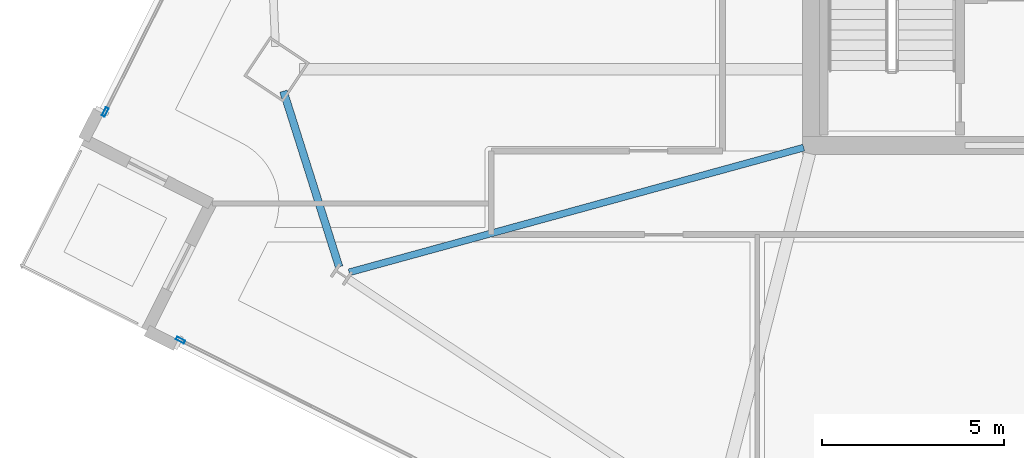
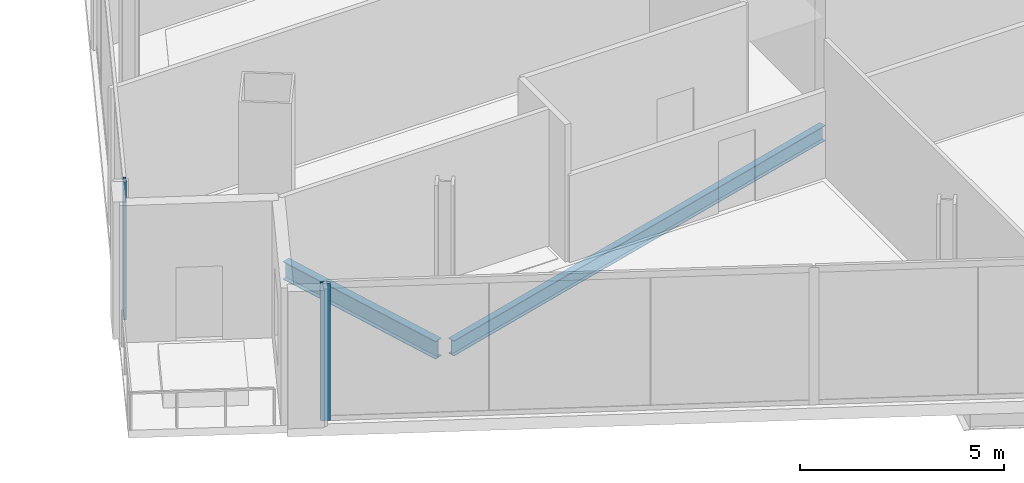
# One storey, part 5 of 27: 2 beams, 2 members, 2 elements without a shape of their own.
"""IFC4 building model written with IfcOpenShell, lengths in metres."""

from ifc_helpers import new_model, si_unit, direction, frame, origin, origin_2d, place, context, subcontext, project, spatial, hollow_rectangle, i_section, extrude, material, material_profile, profile_set, type_object, element, aggregate, save


model = new_model("IFC4")

# Units and contexts
model_context = context("Model", 3, precision=1e-05, world=origin(), true_north=direction((0.0, 1.0)))
body_context = subcontext(model_context, "Body", "Model", "MODEL_VIEW")
ifc_project = project(units=[si_unit("LENGTHUNIT", "METRE"), si_unit("AREAUNIT", "SQUARE_METRE"), si_unit("VOLUMEUNIT", "CUBIC_METRE"), si_unit("PLANEANGLEUNIT", "RADIAN"), si_unit("MASSUNIT", "GRAM", prefix="KILO")], contexts=[model_context])

# Site, building, storey
site_placement = place(None, origin())
site = spatial("IfcSite", under=ifc_project, at=site_placement, CompositionType="ELEMENT")
building_placement = place(site_placement, origin())
building = spatial("IfcBuilding", under=site, at=building_placement, Name="Haldenkirk Collegiate Tower", CompositionType="ELEMENT")
storey_placement = place(building_placement, frame((0.0, 0.0, 239.699951171875)))
storey = spatial("IfcBuildingStorey", under=building, at=storey_placement, Name="L60", CompositionType="ELEMENT", Elevation=239.699951171875)

# Beams
ifc_material_1 = material(Name="Steel ASTM A992 Grade 50", Category="steel")
ifc_material_profile_1 = material_profile(ifc_material_1, i_section(OverallWidth=0.18994140625, OverallDepth=0.45703125, WebThickness=0.009033203125, FlangeThickness=0.014404296875, at=origin_2d()), Name="W18X50")
ifc_profile_set_1 = profile_set([ifc_material_profile_1], Name="Steel ASTM A992 Grade 50")
beam_type_1 = type_object("IfcBeamType", Name="BM-JOIST-W18X50", PredefinedType="JOIST", material=ifc_profile_set_1)
beam_1_placement = place(storey_placement, frame((14.2978515625, 14.514892578125, -0.578369140625), z_axis=(0.964359566427, 0.264595212807, 0.0), x_axis=(-0.264595212807, 0.964359566427, 0.0)))
element("IfcBeam", 1, at=beam_1_placement, inside=storey, type_object=beam_type_1, Name="L60 composite floor joist 14", PredefinedType="JOIST", context=body_context, shape_type="SweptSolid", body=[
    extrude(i_section(OverallWidth=0.18994140625, OverallDepth=0.45703125, WebThickness=0.009033203125, FlangeThickness=0.014404296875, at=origin_2d()), origin(), (0.0, 0.0, 1.0), 12.941650390625),
])
ifc_material_profile_2 = material_profile(ifc_material_1, i_section(OverallWidth=0.2099609375, OverallDepth=0.537109375, WebThickness=0.010986328125, FlangeThickness=0.017333984375, at=origin_2d()), Name="W21X68")
ifc_profile_set_2 = profile_set([ifc_material_profile_2], Name="Steel ASTM A992 Grade 50")
beam_type_2 = type_object("IfcBeamType", Name="BM-SPANDREL-W21X68", PredefinedType="SPANDREL", material=ifc_profile_set_2)
beam_2_placement = place(storey_placement, frame((12.494873046875, 19.489013671875, -0.618408203125), z_axis=(0.301937009704, -0.95332787758, 0.0), x_axis=(0.95332787758, 0.301937009704, 0.0)))
element("IfcBeam", 2, at=beam_2_placement, inside=storey, type_object=beam_type_2, Name="L60 perimeter spandrel beam 13", PredefinedType="SPANDREL", context=body_context, shape_type="SweptSolid", body=[
    extrude(i_section(OverallWidth=0.2099609375, OverallDepth=0.537109375, WebThickness=0.010986328125, FlangeThickness=0.017333984375, at=origin_2d()), origin(), (0.0, 0.0, 1.0), 5.060791015625),
])

# Curtain wall, member
ifc_material_2 = material(Name="Anodised architectural bronze aluminium", Category="aluminium")
curtain_wall_type = type_object("IfcCurtainWallType", Name="CW-SYS1B-CONVEX-HI", PredefinedType="USERDEFINED", material=ifc_material_2)
curtain_wall_1_placement = place(storey_placement, origin())
curtain_wall_1 = element("IfcCurtainWall", 3, at=curtain_wall_1_placement, inside=storey, type_object=curtain_wall_type, Name="L60 Upper tower high-wind convex bronze unitised curtain wall", ObjectType="UNITISED CURTAIN WALL", PredefinedType="USERDEFINED")
ifc_material_profile_3 = material_profile(ifc_material_2, hollow_rectangle(XDim=0.0849609375, YDim=0.25, WallThickness=0.0048828125, at=origin_2d()), Name="CW-MUL-1B")
ifc_profile_set_3 = profile_set([ifc_material_profile_3], Name="Anodised architectural bronze aluminium")
member_type = type_object("IfcMemberType", Name="CW-MUL-1B", PredefinedType="MULLION", material=ifc_profile_set_3)
member_1_placement = place(storey_placement, frame((7.602294921875, 18.916259765625, 0.0), z_axis=(0.0, 0.0, 1.0), x_axis=(-0.892978136904, 0.450100041114, 0.0)))
member_1 = element("IfcMember", 4, at=member_1_placement, type_object=member_type, Name="CW-1B mullion 1", PredefinedType="MULLION", context=body_context, shape_type="SweptSolid", body=[
    extrude(hollow_rectangle(XDim=0.0849609375, YDim=0.25, WallThickness=0.0048828125, at=origin_2d()), origin(), (0.0, 0.0, 1.0), 4.10009765625),
])
aggregate(curtain_wall_1, [member_1])

curtain_wall_2_placement = place(storey_placement, origin())
curtain_wall_2 = element("IfcCurtainWall", 5, at=curtain_wall_2_placement, inside=storey, type_object=curtain_wall_type, Name="L60 Upper tower high-wind convex bronze unitised curtain wall", ObjectType="UNITISED CURTAIN WALL", PredefinedType="USERDEFINED")
member_2_placement = place(storey_placement, frame((9.667236328125, 12.654052734375, 0.0), z_axis=(0.0, 0.0, 1.0), x_axis=(-0.450098584579, -0.89297887106, 0.0)))
member_2 = element("IfcMember", 6, at=member_2_placement, type_object=member_type, Name="CW-1B mullion 4", PredefinedType="MULLION", context=body_context, shape_type="SweptSolid", body=[
    extrude(hollow_rectangle(XDim=0.0849609375, YDim=0.25, WallThickness=0.0048828125, at=origin_2d()), origin(), (0.0, 0.0, 1.0), 4.10009765625),
])
aggregate(curtain_wall_2, [member_2])

save(model, "model.ifc")
